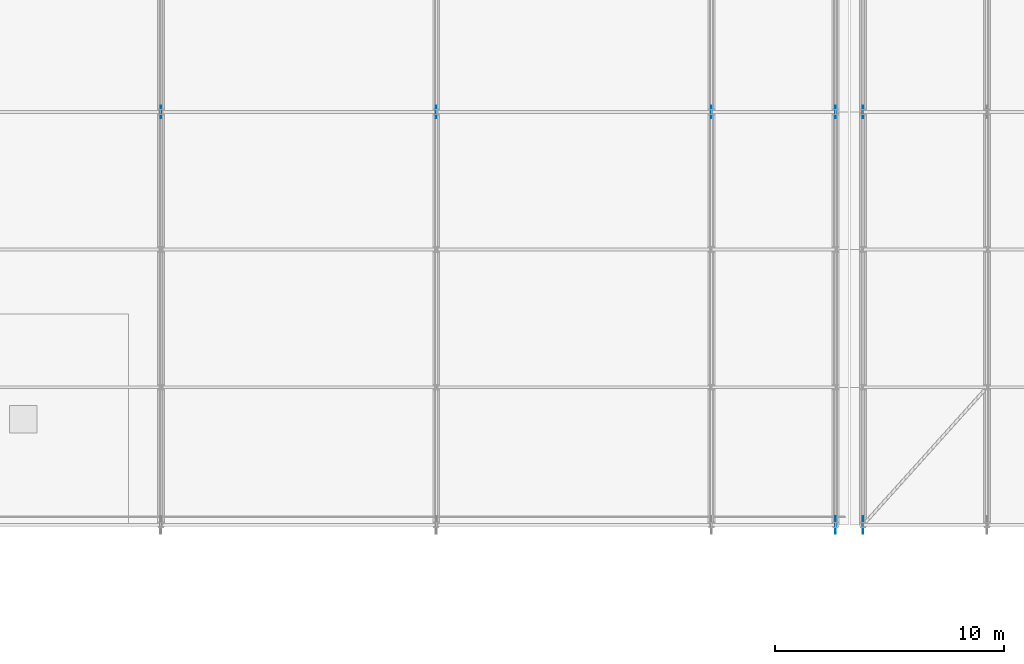
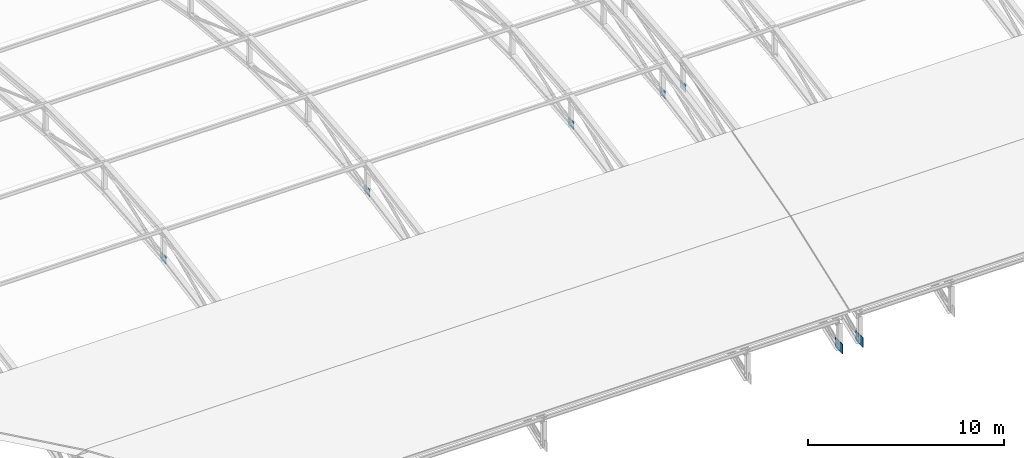
# One storey, part 172 of 204: 7 plates.
"""IFC4 building model written with IfcOpenShell, lengths in metres."""

from ifc_helpers import new_model, si_unit, direction, frame, origin, origin_2d, place, context, subcontext, project, spatial, rectangle, extrude, material, layer, layer_set, type_object, element, save


model = new_model("IFC4")

# Units and contexts
model_context = context("Model", 3, precision=1e-05, world=origin(), true_north=direction((0.0, 1.0)))
body_context = subcontext(model_context, "Body", "Model", "MODEL_VIEW")
ifc_project = project(units=[si_unit("LENGTHUNIT", "METRE"), si_unit("AREAUNIT", "SQUARE_METRE"), si_unit("VOLUMEUNIT", "CUBIC_METRE"), si_unit("PLANEANGLEUNIT", "RADIAN"), si_unit("MASSUNIT", "GRAM", prefix="KILO")], contexts=[model_context])

# Site, building, storey
site_placement = place(None, origin())
site = spatial("IfcSite", under=ifc_project, at=site_placement, CompositionType="ELEMENT")
building_placement = place(site_placement, origin())
building = spatial("IfcBuilding", under=site, at=building_placement, Name="Zilviju Railside Exhibition Hall", CompositionType="ELEMENT")
storey_placement = place(building_placement, frame((0.0, 0.0, 21.0)))
storey = spatial("IfcBuildingStorey", under=building, at=storey_placement, Name="RF", CompositionType="ELEMENT", Elevation=21.0)

# Plates
ifc_material = material(Name="Steel S355ML", Category="steel")
ifc_layer_1 = layer(ifc_material, 0.02392578125)
ifc_layer_set_1 = layer_set([ifc_layer_1], Name="Steel S355ML")
plate_type_1 = type_object("IfcPlateType", Name="PLATE-GP-24", PredefinedType="SHEET", material=ifc_layer_set_1)
for number, where, z_axis, x_axis, name in (
    (1, (96.0, 18.0, -3.072265625), (0.0, 0.0, 1.0), (1.0, 0.0, 0.0), "V1 Truss Node Gusset Plate X=96.0 N3"),
    (2, (108.0, 18.0, -3.072265625), (0.0, 0.0, 1.0), (1.0, 0.0, 0.0), "V1 Truss Node Gusset Plate X=108.0 N3"),
    (3, (120.0, 18.0, -3.072265625), (0.0, 0.0, 1.0), (1.0, 0.0, 0.0), "V1 Truss Node Gusset Plate X=120.0 N3"),
    (4, (125.39990234375, 18.0, -3.072265625), (0.0, 0.0, 1.0), (1.0, 0.0, 0.0), "V1 Truss Node Gusset Plate X=125.4 N3"),
    (5, (126.60009765625, 18.0, -3.072265625), (0.0, 0.0, 1.0), (1.0, 0.0, 0.0), "V1 Truss Node Gusset Plate X=126.6 N3"),
):
    element("IfcPlate", number, at=place(storey_placement, frame(where, z_axis=z_axis, x_axis=x_axis)), inside=storey, type_object=plate_type_1, Name=name, PredefinedType="SHEET", context=body_context, shape_type="SweptSolid", body=[
        extrude(rectangle(XDim=0.02392578125, YDim=0.550048828125, at=origin_2d()), origin(), (0.0, 0.0, 1.0), 0.5),
    ])
ifc_layer_2 = layer(ifc_material, 0.031982421875)
ifc_layer_set_2 = layer_set([ifc_layer_2], Name="Steel S355ML")
plate_type_2 = type_object("IfcPlateType", Name="PLATE-GP-32", PredefinedType="SHEET", material=ifc_layer_set_2)
for number, where, z_axis, x_axis, name in (
    (6, (125.39990234375, 0.0, -7.949951171875), (0.0, 0.0, 1.0), (1.0, 0.0, 0.0), "V1 Arch Pin-Shoe Gusset Plate X=125.4"),
    (7, (126.60009765625, 0.0, -7.949951171875), (0.0, 0.0, 1.0), (1.0, 0.0, 0.0), "V1 Arch Pin-Shoe Gusset Plate X=126.6"),
):
    element("IfcPlate", number, at=place(storey_placement, frame(where, z_axis=z_axis, x_axis=x_axis)), inside=storey, type_object=plate_type_2, Name=name, PredefinedType="SHEET", context=body_context, shape_type="SweptSolid", body=[
        extrude(rectangle(XDim=0.031982421875, YDim=0.75, at=origin_2d()), origin(), (0.0, 0.0, 1.0), 0.60009765625),
    ])

save(model, "model.ifc")
